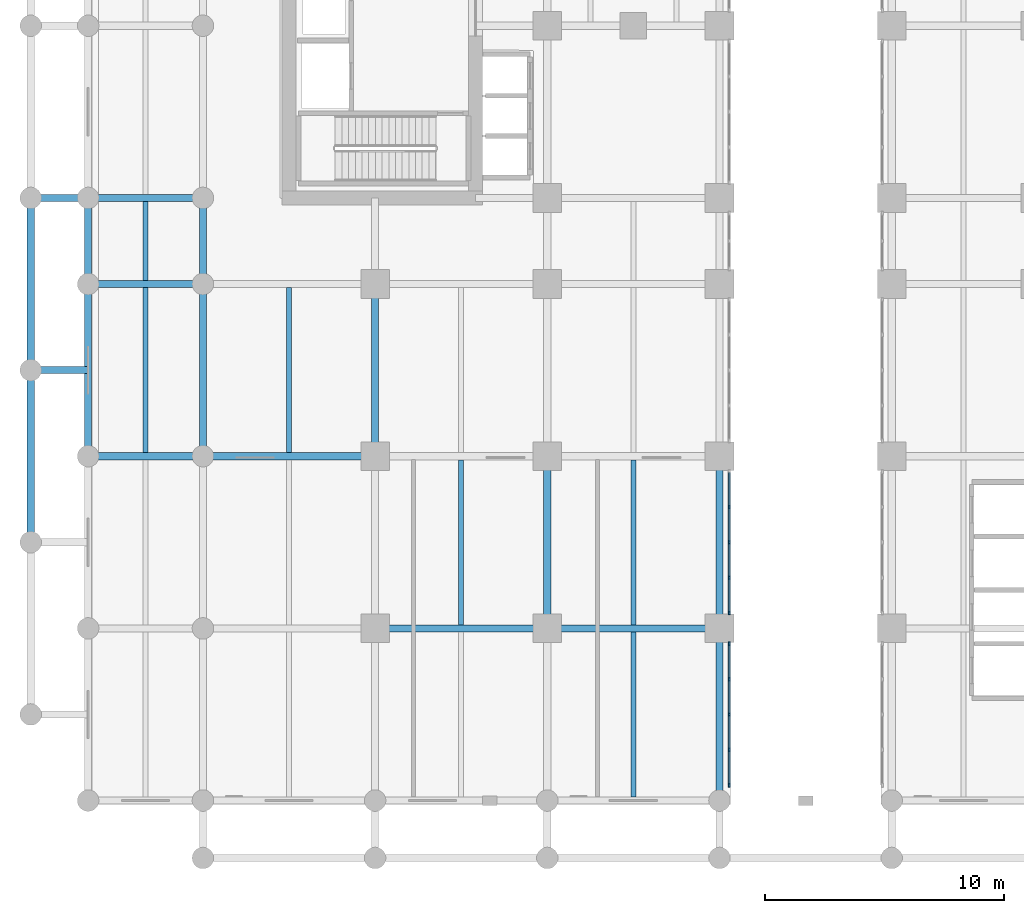
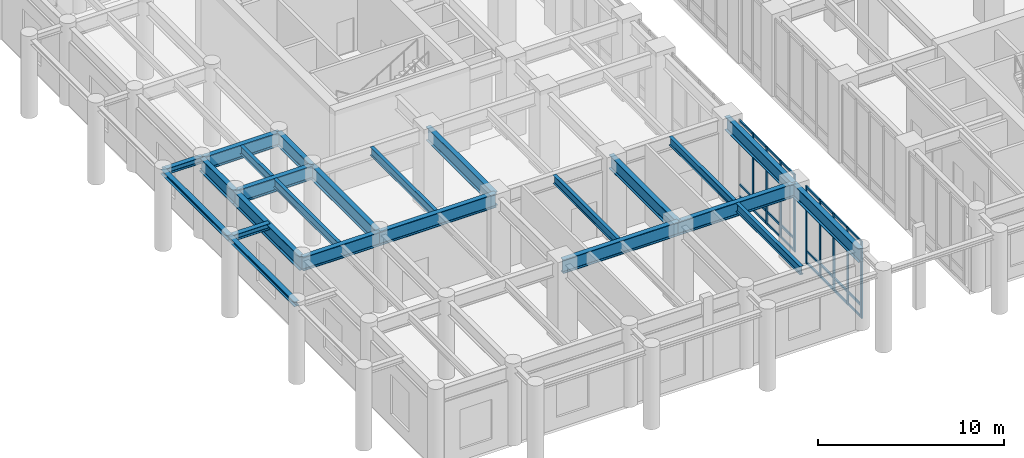
# One storey, part 2 of 24: 33 members, 24 beams, 2 elements without a shape of their own.
"""IFC4 building model written with IfcOpenShell, lengths in metres."""

from ifc_helpers import new_model, si_unit, derived_unit, direction, frame, origin, origin_2d, place, context, subcontext, project, spatial, rectangle, i_section, extrude, source, transform, mapped, material, layer, layer_set, material_profile, profile_set, type_object, type_shapes, element, aggregate, save


model = new_model("IFC4")

# Units and contexts
model_context = context("Model", 3, precision=1e-05, world=origin(), true_north=direction((0.0, 1.0)))
body_context = subcontext(model_context, "Body", "Model", "MODEL_VIEW")
ifc_project = project(units=[si_unit("LENGTHUNIT", "METRE"), si_unit("AREAUNIT", "SQUARE_METRE"), si_unit("VOLUMEUNIT", "CUBIC_METRE"), si_unit("PLANEANGLEUNIT", "RADIAN"), si_unit("MASSUNIT", "GRAM", prefix="KILO"), si_unit("THERMODYNAMICTEMPERATUREUNIT", "KELVIN"), si_unit("POWERUNIT", "WATT"), derived_unit("THERMALTRANSMITTANCEUNIT", [(si_unit("POWERUNIT", "WATT"), 1), (si_unit("AREAUNIT", "SQUARE_METRE"), -1), (si_unit("THERMODYNAMICTEMPERATUREUNIT", "KELVIN"), -1)])], contexts=[model_context])

# Site, building, storey
site_placement = place(None, origin())
site = spatial("IfcSite", under=ifc_project, at=site_placement, CompositionType="ELEMENT")
building_placement = place(site_placement, origin())
building = spatial("IfcBuilding", under=site, at=building_placement, Name="Zahravan Archway Hotel and Residences", CompositionType="ELEMENT")
storey_placement = place(building_placement, frame((0.0, 0.0, 10.800048828125)))
storey = spatial("IfcBuildingStorey", under=building, at=storey_placement, Name="L02", CompositionType="ELEMENT", Elevation=10.800048828125)

# Beams
ifc_material_1 = material(Name="Structural Steel S355J2", Category="steel")
ifc_material_profile_1 = material_profile(ifc_material_1, i_section(OverallWidth=0.300048828125, OverallDepth=0.89990234375, WebThickness=0.0185546875, FlangeThickness=0.034912109375, FilletRadius=0.030029296875, at=origin_2d()), Name="HEB 900", Category="steel")
ifc_profile_set_1 = profile_set([ifc_material_profile_1], Name="Structural Steel S355J2")
beam_type_1 = type_object("IfcBeamType", Name="BM-PRI-HEB900", PredefinedType="BEAM", material=ifc_profile_set_1)
shared_shape_1 = source(origin(), body_context, "Body", "SweptSolid", [
    extrude(i_section(OverallWidth=0.300048828125, OverallDepth=0.89990234375, WebThickness=0.0185546875, FlangeThickness=0.034912109375, FilletRadius=0.030029296875, at=origin_2d()), origin(), (0.0, 0.0, 1.0), 4.800048828125),
])
type_shapes(beam_type_1, [shared_shape_1])
for number, where, z_axis, x_axis, name in (
    (1, (-4.800048828125, 14.39990234375, 4.64990234375), (1.0, 0.0, 0.0), (0.0, 1.0, 0.0), "L02 Primary Girder EW-19"),
    (2, (-4.800048828125, 21.60009765625, 4.64990234375), (1.0, 0.0, 0.0), (0.0, 1.0, 0.0), "L02 Primary Girder EW-27"),
    (3, (-4.800048828125, 25.199951171875, 4.64990234375), (1.0, 0.0, 0.0), (0.0, 1.0, 0.0), "L02 Primary Girder EW-37"),
):
    element("IfcBeam", number, at=place(storey_placement, frame(where, z_axis=z_axis, x_axis=x_axis)), inside=storey, type_object=beam_type_1, Name=name, PredefinedType="BEAM", context=body_context, shape_type="MappedRepresentation", body=[
        mapped(shared_shape_1, transform((0.0, 0.0, 0.0), scale=1.0)),
    ])
shared_shape_2 = source(origin(), body_context, "Body", "SweptSolid", [
    extrude(i_section(OverallWidth=0.300048828125, OverallDepth=0.89990234375, WebThickness=0.0185546875, FlangeThickness=0.034912109375, FilletRadius=0.030029296875, at=origin_2d()), origin(), (0.0, 0.0, 1.0), 7.199951171875),
])
for number, where, z_axis, x_axis, name in (
    (4, (7.199951171875, 7.199951171875, 4.64990234375), (1.0, 0.0, 0.0), (0.0, 1.0, 0.0), "L02 Primary Girder EW-13"),
    (5, (0.0, 14.39990234375, 4.64990234375), (1.0, 0.0, 0.0), (0.0, 1.0, 0.0), "L02 Primary Girder EW-20"),
    (6, (14.39990234375, 7.199951171875, 4.64990234375), (0.0, 1.0, 0.0), (-1.0, 0.0, 0.0), "L02 Primary Girder NS-82"),
    (7, (21.60009765625, 0.0, 4.64990234375), (0.0, 1.0, 0.0), (-1.0, 0.0, 0.0), "L02 Primary Girder NS-88"),
    (8, (21.60009765625, 7.199951171875, 4.64990234375), (0.0, 1.0, 0.0), (-1.0, 0.0, 0.0), "L02 Primary Girder NS-89"),
):
    element("IfcBeam", number, at=place(storey_placement, frame(where, z_axis=z_axis, x_axis=x_axis)), inside=storey, type_object=beam_type_1, Name=name, PredefinedType="BEAM", context=body_context, shape_type="MappedRepresentation", body=[
        mapped(shared_shape_2, transform((0.0, 0.0, 0.0), scale=1.0)),
    ])
shared_shape_3 = source(origin(), body_context, "Body", "SweptSolid", [
    extrude(i_section(OverallWidth=0.300048828125, OverallDepth=0.89990234375, WebThickness=0.0185546875, FlangeThickness=0.034912109375, FilletRadius=0.030029296875, at=origin_2d()), origin(), (0.0, 0.0, 1.0), 7.2001953125),
])
for number, where, z_axis, x_axis, name in (
    (9, (14.39990234375, 7.199951171875, 4.64990234375), (1.0, 0.0, 0.0), (0.0, 1.0, 0.0), "L02 Primary Girder EW-14"),
    (10, (-4.800048828125, 14.39990234375, 4.64990234375), (0.0, 1.0, 0.0), (-1.0, 0.0, 0.0), "L02 Primary Girder NS-64"),
    (11, (0.0, 14.39990234375, 4.64990234375), (0.0, 1.0, 0.0), (-1.0, 0.0, 0.0), "L02 Primary Girder NS-71"),
    (12, (7.199951171875, 14.39990234375, 4.64990234375), (0.0, 1.0, 0.0), (-1.0, 0.0, 0.0), "L02 Primary Girder NS-78"),
):
    element("IfcBeam", number, at=place(storey_placement, frame(where, z_axis=z_axis, x_axis=x_axis)), inside=storey, type_object=beam_type_1, Name=name, PredefinedType="BEAM", context=body_context, shape_type="MappedRepresentation", body=[
        mapped(shared_shape_3, transform((0.0, 0.0, 0.0), scale=1.0)),
    ])
shared_shape_4 = source(origin(), body_context, "Body", "SweptSolid", [
    extrude(i_section(OverallWidth=0.300048828125, OverallDepth=0.89990234375, WebThickness=0.0185546875, FlangeThickness=0.034912109375, FilletRadius=0.030029296875, at=origin_2d()), origin(), (0.0, 0.0, 1.0), 3.599853515625),
])
for number, where, z_axis, x_axis, name in (
    (13, (-4.800048828125, 21.60009765625, 4.64990234375), (0.0, 1.0, 0.0), (-1.0, 0.0, 0.0), "L02 Primary Girder NS-65"),
    (14, (0.0, 21.60009765625, 4.64990234375), (0.0, 1.0, 0.0), (-1.0, 0.0, 0.0), "L02 Primary Girder NS-72"),
):
    element("IfcBeam", number, at=place(storey_placement, frame(where, z_axis=z_axis, x_axis=x_axis)), inside=storey, type_object=beam_type_1, Name=name, PredefinedType="BEAM", context=body_context, shape_type="MappedRepresentation", body=[
        mapped(shared_shape_4, transform((0.0, 0.0, 0.0), scale=1.0)),
    ])
ifc_material_2 = material(Name="Structural Steel S355JR", Category="steel")
ifc_material_profile_2 = material_profile(ifc_material_2, i_section(OverallWidth=0.2099609375, OverallDepth=0.550048828125, WebThickness=0.010986328125, FlangeThickness=0.01708984375, FilletRadius=0.02392578125, at=origin_2d()), Name="IPE 550", Category="steel")
ifc_profile_set_2 = profile_set([ifc_material_profile_2], Name="Structural Steel S355JR")
beam_type_2 = type_object("IfcBeamType", Name="BM-JST-IPE550", PredefinedType="JOIST", material=ifc_profile_set_2)
shared_shape_5 = source(origin(), body_context, "Body", "SweptSolid", [
    extrude(i_section(OverallWidth=0.2099609375, OverallDepth=0.550048828125, WebThickness=0.010986328125, FlangeThickness=0.01708984375, FilletRadius=0.02392578125, at=origin_2d()), origin(), (0.0, 0.0, 1.0), 6.904052734375),
])
type_shapes(beam_type_2, [shared_shape_5])
for number, where, z_axis, x_axis, name in (
    (15, (18.0, 0.14794921875, 4.824951171875), (0.0, 1.0, 0.0), (-1.0, 0.0, 0.0), "L02 Composite Floor Joist 04"),
    (16, (10.800048828125, 7.347900390625, 4.824951171875), (0.0, 1.0, 0.0), (-1.0, 0.0, 0.0), "L02 Composite Floor Joist 11"),
    (17, (18.0, 7.347900390625, 4.824951171875), (0.0, 1.0, 0.0), (-1.0, 0.0, 0.0), "L02 Composite Floor Joist 12"),
):
    element("IfcBeam", number, at=place(storey_placement, frame(where, z_axis=z_axis, x_axis=x_axis)), inside=storey, type_object=beam_type_2, Name=name, PredefinedType="JOIST", context=body_context, shape_type="MappedRepresentation", body=[
        mapped(shared_shape_5, transform((0.0, 0.0, 0.0), scale=1.0)),
    ])
shared_shape_6 = source(origin(), body_context, "Body", "SweptSolid", [
    extrude(i_section(OverallWidth=0.2099609375, OverallDepth=0.550048828125, WebThickness=0.010986328125, FlangeThickness=0.01708984375, FilletRadius=0.02392578125, at=origin_2d()), origin(), (0.0, 0.0, 1.0), 6.90380859375),
])
for number, where, z_axis, x_axis, name in (
    (18, (-2.39990234375, 14.548095703125, 4.824951171875), (0.0, 1.0, 0.0), (-1.0, 0.0, 0.0), "L02 Composite Floor Joist 17"),
    (19, (3.60009765625, 14.548095703125, 4.824951171875), (0.0, 1.0, 0.0), (-1.0, 0.0, 0.0), "L02 Composite Floor Joist 18"),
):
    element("IfcBeam", number, at=place(storey_placement, frame(where, z_axis=z_axis, x_axis=x_axis)), inside=storey, type_object=beam_type_2, Name=name, PredefinedType="JOIST", context=body_context, shape_type="MappedRepresentation", body=[
        mapped(shared_shape_6, transform((0.0, 0.0, 0.0), scale=1.0)),
    ])
shared_shape_7 = source(origin(), body_context, "Body", "SweptSolid", [
    extrude(i_section(OverallWidth=0.2099609375, OverallDepth=0.550048828125, WebThickness=0.010986328125, FlangeThickness=0.01708984375, FilletRadius=0.02392578125, at=origin_2d()), origin(), (0.0, 0.0, 1.0), 3.303955078125),
])
beam_placement = place(storey_placement, frame((-2.39990234375, 21.748046875, 4.824951171875), z_axis=(0.0, 1.0, 0.0), x_axis=(-1.0, 0.0, 0.0)))
element("IfcBeam", 20, at=beam_placement, inside=storey, type_object=beam_type_2, Name="L02 Composite Floor Joist 25", PredefinedType="JOIST", context=body_context, shape_type="MappedRepresentation", body=[
    mapped(shared_shape_7, transform((0.0, 0.0, 0.0), scale=1.0)),
])
ifc_material_profile_3 = material_profile(ifc_material_2, i_section(OverallWidth=0.300048828125, OverallDepth=0.39990234375, WebThickness=0.013427734375, FlangeThickness=0.02392578125, FilletRadius=0.027099609375, at=origin_2d()), Name="HEB 400", Category="steel")
ifc_profile_set_3 = profile_set([ifc_material_profile_3], Name="Structural Steel S355JR")
beam_type_3 = type_object("IfcBeamType", Name="BM-PRI-HEB400", PredefinedType="BEAM", material=ifc_profile_set_3)
shared_shape_8 = source(origin(), body_context, "Body", "SweptSolid", [
    extrude(i_section(OverallWidth=0.300048828125, OverallDepth=0.39990234375, WebThickness=0.013427734375, FlangeThickness=0.02392578125, FilletRadius=0.027099609375, at=origin_2d()), origin(), (0.0, 0.0, 1.0), 2.39990234375),
])
for number, where, z_axis, x_axis, name in (
    (21, (-7.199951171875, 18.0, 4.9599609375), (1.0, 0.0, 0.0), (0.0, 1.0, 0.0), "L02 West Colonnade Tie Girder 3"),
    (22, (-7.199951171875, 25.199951171875, 4.9599609375), (1.0, 0.0, 0.0), (0.0, 1.0, 0.0), "L02 West Colonnade Tie Girder 4"),
):
    element("IfcBeam", number, at=place(storey_placement, frame(where, z_axis=z_axis, x_axis=x_axis)), inside=storey, type_object=beam_type_3, Name=name, PredefinedType="BEAM", context=body_context, shape_type="MappedRepresentation", body=[
        mapped(shared_shape_8, transform((0.0, 0.0, 0.0), scale=1.0)),
    ])
ifc_material_profile_4 = material_profile(ifc_material_2, i_section(OverallWidth=0.300048828125, OverallDepth=0.320068359375, WebThickness=0.011474609375, FlangeThickness=0.0205078125, FilletRadius=0.027099609375, at=origin_2d()), Name="HEB 320", Category="steel")
ifc_profile_set_4 = profile_set([ifc_material_profile_4], Name="Structural Steel S355JR")
beam_type_4 = type_object("IfcBeamType", Name="BM-SPN-HEB320", PredefinedType="SPANDREL", material=ifc_profile_set_4)
shared_shape_9 = source(origin(), body_context, "Body", "SweptSolid", [
    extrude(i_section(OverallWidth=0.300048828125, OverallDepth=0.320068359375, WebThickness=0.011474609375, FlangeThickness=0.0205078125, FilletRadius=0.027099609375, at=origin_2d()), origin(), (0.0, 0.0, 1.0), 7.199951171875),
])
type_shapes(beam_type_4, [shared_shape_9])
for number, where, z_axis, x_axis, name in (
    (23, (-7.199951171875, 10.800048828125, 5.0), (0.0, 1.0, 0.0), (-1.0, 0.0, 0.0), "L02 West Colonnade Spandrel 2"),
    (24, (-7.199951171875, 18.0, 5.0), (0.0, 1.0, 0.0), (-1.0, 0.0, 0.0), "L02 West Colonnade Spandrel 3"),
):
    element("IfcBeam", number, at=place(storey_placement, frame(where, z_axis=z_axis, x_axis=x_axis)), inside=storey, type_object=beam_type_4, Name=name, PredefinedType="SPANDREL", context=body_context, shape_type="MappedRepresentation", body=[
        mapped(shared_shape_9, transform((0.0, 0.0, 0.0), scale=1.0)),
    ])

# Curtain wall, members
ifc_material_3 = material(Name="Bronze-Anodized Unitised Aluminium & Low-E Glass", Category="aluminium")
ifc_layer = layer(ifc_material_3, 0.179931640625, Name="Bronze-Anodized Unitised Aluminium & Low-E Glass", Category="aluminium")
ifc_layer_set = layer_set([ifc_layer], Name="Bronze-Anodized Unitised Aluminium & Low-E Glass")
curtain_wall_type = type_object("IfcCurtainWallType", Name="CW-POD-ARCH", PredefinedType="NOTDEFINED", material=ifc_layer_set)
curtain_wall_1_placement = place(storey_placement, origin())
curtain_wall_1 = element("IfcCurtainWall", 25, at=curtain_wall_1_placement, inside=storey, type_object=curtain_wall_type, Name="L02 Curtain Wall CW-PORTW-L02-1", PredefinedType="NOTDEFINED")
ifc_material_4 = material(Name="Bronze-Anodized Extruded Aluminium", Category="aluminium")
ifc_material_profile_5 = material_profile(ifc_material_4, rectangle(XDim=0.080078125, YDim=0.139892578125, at=origin_2d()), Name="TRN 80x140", Category="aluminium")
ifc_profile_set_5 = profile_set([ifc_material_profile_5], Name="Bronze-Anodized Extruded Aluminium")
member_type_1 = type_object("IfcMemberType", Name="CWM-TRN-140", PredefinedType="USERDEFINED", material=ifc_profile_set_5)
shared_shape_10 = source(origin(), body_context, "Body", "SweptSolid", [
    extrude(rectangle(XDim=0.080078125, YDim=0.139892578125, at=origin_2d()), origin(), (0.0, 0.0, 1.0), 1.397216796875),
])
member_1_placement = place(storey_placement, frame((22.0, 0.685302734375, 0.070068359375), z_axis=(0.0, 1.0, 0.0), x_axis=(-1.0, 0.0, 0.0)))
member_1 = element("IfcMember", 26, at=member_1_placement, type_object=member_type_1, Name="CW-PORTW-L02-1 Transom 0-1", ObjectType="TRANSOM", PredefinedType="USERDEFINED", context=body_context, shape_type="MappedRepresentation", body=[
    mapped(shared_shape_10, transform((0.0, 0.0, 0.0), scale=1.0)),
])
member_2_placement = place(storey_placement, frame((22.0, 0.685302734375, 0.849853515625), z_axis=(0.0, 1.0, 0.0), x_axis=(-1.0, 0.0, 0.0)))
member_2 = element("IfcMember", 27, at=member_2_placement, type_object=member_type_1, Name="CW-PORTW-L02-1 Transom 0-2", ObjectType="TRANSOM", PredefinedType="USERDEFINED", context=body_context, shape_type="MappedRepresentation", body=[
    mapped(shared_shape_10, transform((0.0, 0.0, 0.0), scale=1.0)),
])
member_3_placement = place(storey_placement, frame((22.0, 0.685302734375, 5.030029296875), z_axis=(0.0, 1.0, 0.0), x_axis=(-1.0, 0.0, 0.0)))
member_3 = element("IfcMember", 28, at=member_3_placement, type_object=member_type_1, Name="CW-PORTW-L02-1 Transom 0-3", ObjectType="TRANSOM", PredefinedType="USERDEFINED", context=body_context, shape_type="MappedRepresentation", body=[
    mapped(shared_shape_10, transform((0.0, 0.0, 0.0), scale=1.0)),
])

curtain_wall_2_placement = place(storey_placement, origin())
curtain_wall_2 = element("IfcCurtainWall", 29, at=curtain_wall_2_placement, inside=storey, type_object=curtain_wall_type, Name="L02 Curtain Wall CW-PORTW-L02-2", PredefinedType="NOTDEFINED")
member_4_placement = place(storey_placement, frame((22.0, 10.840087890625, 0.070068359375), z_axis=(0.0, 1.0, 0.0), x_axis=(-1.0, 0.0, 0.0)))
member_4 = element("IfcMember", 30, at=member_4_placement, type_object=member_type_1, Name="CW-PORTW-L02-2 Transom 2-1", ObjectType="TRANSOM", PredefinedType="USERDEFINED", context=body_context, shape_type="MappedRepresentation", body=[
    mapped(shared_shape_10, transform((0.0, 0.0, 0.0), scale=1.0)),
])
member_5_placement = place(storey_placement, frame((22.0, 10.840087890625, 0.849853515625), z_axis=(0.0, 1.0, 0.0), x_axis=(-1.0, 0.0, 0.0)))
member_5 = element("IfcMember", 31, at=member_5_placement, type_object=member_type_1, Name="CW-PORTW-L02-2 Transom 2-2", ObjectType="TRANSOM", PredefinedType="USERDEFINED", context=body_context, shape_type="MappedRepresentation", body=[
    mapped(shared_shape_10, transform((0.0, 0.0, 0.0), scale=1.0)),
])
member_6_placement = place(storey_placement, frame((22.0, 10.840087890625, 5.030029296875), z_axis=(0.0, 1.0, 0.0), x_axis=(-1.0, 0.0, 0.0)))
member_6 = element("IfcMember", 32, at=member_6_placement, type_object=member_type_1, Name="CW-PORTW-L02-2 Transom 2-3", ObjectType="TRANSOM", PredefinedType="USERDEFINED", context=body_context, shape_type="MappedRepresentation", body=[
    mapped(shared_shape_10, transform((0.0, 0.0, 0.0), scale=1.0)),
])

# Member
shared_shape_11 = source(origin(), body_context, "Body", "SweptSolid", [
    extrude(rectangle(XDim=0.080078125, YDim=0.139892578125, at=origin_2d()), origin(), (0.0, 0.0, 1.0), 1.3974609375),
])
member_7_placement = place(storey_placement, frame((22.0, 2.16259765625, 0.070068359375), z_axis=(0.0, 1.0, 0.0), x_axis=(-1.0, 0.0, 0.0)))
member_7 = element("IfcMember", 33, at=member_7_placement, type_object=member_type_1, Name="CW-PORTW-L02-1 Transom 1-1", ObjectType="TRANSOM", PredefinedType="USERDEFINED", context=body_context, shape_type="MappedRepresentation", body=[
    mapped(shared_shape_11, transform((0.0, 0.0, 0.0), scale=1.0)),
])

member_8_placement = place(storey_placement, frame((22.0, 2.16259765625, 0.849853515625), z_axis=(0.0, 1.0, 0.0), x_axis=(-1.0, 0.0, 0.0)))
member_8 = element("IfcMember", 34, at=member_8_placement, type_object=member_type_1, Name="CW-PORTW-L02-1 Transom 1-2", ObjectType="TRANSOM", PredefinedType="USERDEFINED", context=body_context, shape_type="MappedRepresentation", body=[
    mapped(shared_shape_11, transform((0.0, 0.0, 0.0), scale=1.0)),
])

member_9_placement = place(storey_placement, frame((22.0, 2.16259765625, 5.030029296875), z_axis=(0.0, 1.0, 0.0), x_axis=(-1.0, 0.0, 0.0)))
member_9 = element("IfcMember", 35, at=member_9_placement, type_object=member_type_1, Name="CW-PORTW-L02-1 Transom 1-3", ObjectType="TRANSOM", PredefinedType="USERDEFINED", context=body_context, shape_type="MappedRepresentation", body=[
    mapped(shared_shape_11, transform((0.0, 0.0, 0.0), scale=1.0)),
])

member_10_placement = place(storey_placement, frame((22.0, 3.639892578125, 0.070068359375), z_axis=(0.0, 1.0, 0.0), x_axis=(-1.0, 0.0, 0.0)))
member_10 = element("IfcMember", 36, at=member_10_placement, type_object=member_type_1, Name="CW-PORTW-L02-1 Transom 2-1", ObjectType="TRANSOM", PredefinedType="USERDEFINED", context=body_context, shape_type="MappedRepresentation", body=[
    mapped(shared_shape_11, transform((0.0, 0.0, 0.0), scale=1.0)),
])

member_11_placement = place(storey_placement, frame((22.0, 3.639892578125, 0.849853515625), z_axis=(0.0, 1.0, 0.0), x_axis=(-1.0, 0.0, 0.0)))
member_11 = element("IfcMember", 37, at=member_11_placement, type_object=member_type_1, Name="CW-PORTW-L02-1 Transom 2-2", ObjectType="TRANSOM", PredefinedType="USERDEFINED", context=body_context, shape_type="MappedRepresentation", body=[
    mapped(shared_shape_11, transform((0.0, 0.0, 0.0), scale=1.0)),
])

member_12_placement = place(storey_placement, frame((22.0, 3.639892578125, 5.030029296875), z_axis=(0.0, 1.0, 0.0), x_axis=(-1.0, 0.0, 0.0)))
member_12 = element("IfcMember", 38, at=member_12_placement, type_object=member_type_1, Name="CW-PORTW-L02-1 Transom 2-3", ObjectType="TRANSOM", PredefinedType="USERDEFINED", context=body_context, shape_type="MappedRepresentation", body=[
    mapped(shared_shape_11, transform((0.0, 0.0, 0.0), scale=1.0)),
])

member_13_placement = place(storey_placement, frame((22.0, 5.117431640625, 0.070068359375), z_axis=(0.0, 1.0, 0.0), x_axis=(-1.0, 0.0, 0.0)))
member_13 = element("IfcMember", 39, at=member_13_placement, type_object=member_type_1, Name="CW-PORTW-L02-1 Transom 3-1", ObjectType="TRANSOM", PredefinedType="USERDEFINED", context=body_context, shape_type="MappedRepresentation", body=[
    mapped(shared_shape_11, transform((0.0, 0.0, 0.0), scale=1.0)),
])

member_14_placement = place(storey_placement, frame((22.0, 5.117431640625, 0.849853515625), z_axis=(0.0, 1.0, 0.0), x_axis=(-1.0, 0.0, 0.0)))
member_14 = element("IfcMember", 40, at=member_14_placement, type_object=member_type_1, Name="CW-PORTW-L02-1 Transom 3-2", ObjectType="TRANSOM", PredefinedType="USERDEFINED", context=body_context, shape_type="MappedRepresentation", body=[
    mapped(shared_shape_11, transform((0.0, 0.0, 0.0), scale=1.0)),
])

member_15_placement = place(storey_placement, frame((22.0, 5.117431640625, 5.030029296875), z_axis=(0.0, 1.0, 0.0), x_axis=(-1.0, 0.0, 0.0)))
member_15 = element("IfcMember", 41, at=member_15_placement, type_object=member_type_1, Name="CW-PORTW-L02-1 Transom 3-3", ObjectType="TRANSOM", PredefinedType="USERDEFINED", context=body_context, shape_type="MappedRepresentation", body=[
    mapped(shared_shape_11, transform((0.0, 0.0, 0.0), scale=1.0)),
])

member_16_placement = place(storey_placement, frame((22.0, 7.88525390625, 0.070068359375), z_axis=(0.0, 1.0, 0.0), x_axis=(-1.0, 0.0, 0.0)))
member_16 = element("IfcMember", 42, at=member_16_placement, type_object=member_type_1, Name="CW-PORTW-L02-2 Transom 0-1", ObjectType="TRANSOM", PredefinedType="USERDEFINED", context=body_context, shape_type="MappedRepresentation", body=[
    mapped(shared_shape_11, transform((0.0, 0.0, 0.0), scale=1.0)),
])

member_17_placement = place(storey_placement, frame((22.0, 7.88525390625, 0.849853515625), z_axis=(0.0, 1.0, 0.0), x_axis=(-1.0, 0.0, 0.0)))
member_17 = element("IfcMember", 43, at=member_17_placement, type_object=member_type_1, Name="CW-PORTW-L02-2 Transom 0-2", ObjectType="TRANSOM", PredefinedType="USERDEFINED", context=body_context, shape_type="MappedRepresentation", body=[
    mapped(shared_shape_11, transform((0.0, 0.0, 0.0), scale=1.0)),
])

member_18_placement = place(storey_placement, frame((22.0, 7.88525390625, 5.030029296875), z_axis=(0.0, 1.0, 0.0), x_axis=(-1.0, 0.0, 0.0)))
member_18 = element("IfcMember", 44, at=member_18_placement, type_object=member_type_1, Name="CW-PORTW-L02-2 Transom 0-3", ObjectType="TRANSOM", PredefinedType="USERDEFINED", context=body_context, shape_type="MappedRepresentation", body=[
    mapped(shared_shape_11, transform((0.0, 0.0, 0.0), scale=1.0)),
])

member_19_placement = place(storey_placement, frame((22.0, 9.362548828125, 0.070068359375), z_axis=(0.0, 1.0, 0.0), x_axis=(-1.0, 0.0, 0.0)))
member_19 = element("IfcMember", 45, at=member_19_placement, type_object=member_type_1, Name="CW-PORTW-L02-2 Transom 1-1", ObjectType="TRANSOM", PredefinedType="USERDEFINED", context=body_context, shape_type="MappedRepresentation", body=[
    mapped(shared_shape_11, transform((0.0, 0.0, 0.0), scale=1.0)),
])

member_20_placement = place(storey_placement, frame((22.0, 9.362548828125, 0.849853515625), z_axis=(0.0, 1.0, 0.0), x_axis=(-1.0, 0.0, 0.0)))
member_20 = element("IfcMember", 46, at=member_20_placement, type_object=member_type_1, Name="CW-PORTW-L02-2 Transom 1-2", ObjectType="TRANSOM", PredefinedType="USERDEFINED", context=body_context, shape_type="MappedRepresentation", body=[
    mapped(shared_shape_11, transform((0.0, 0.0, 0.0), scale=1.0)),
])

member_21_placement = place(storey_placement, frame((22.0, 9.362548828125, 5.030029296875), z_axis=(0.0, 1.0, 0.0), x_axis=(-1.0, 0.0, 0.0)))
member_21 = element("IfcMember", 47, at=member_21_placement, type_object=member_type_1, Name="CW-PORTW-L02-2 Transom 1-3", ObjectType="TRANSOM", PredefinedType="USERDEFINED", context=body_context, shape_type="MappedRepresentation", body=[
    mapped(shared_shape_11, transform((0.0, 0.0, 0.0), scale=1.0)),
])

member_22_placement = place(storey_placement, frame((22.0, 12.3173828125, 0.070068359375), z_axis=(0.0, 1.0, 0.0), x_axis=(-1.0, 0.0, 0.0)))
member_22 = element("IfcMember", 48, at=member_22_placement, type_object=member_type_1, Name="CW-PORTW-L02-2 Transom 3-1", ObjectType="TRANSOM", PredefinedType="USERDEFINED", context=body_context, shape_type="MappedRepresentation", body=[
    mapped(shared_shape_11, transform((0.0, 0.0, 0.0), scale=1.0)),
])

member_23_placement = place(storey_placement, frame((22.0, 12.3173828125, 0.849853515625), z_axis=(0.0, 1.0, 0.0), x_axis=(-1.0, 0.0, 0.0)))
member_23 = element("IfcMember", 49, at=member_23_placement, type_object=member_type_1, Name="CW-PORTW-L02-2 Transom 3-2", ObjectType="TRANSOM", PredefinedType="USERDEFINED", context=body_context, shape_type="MappedRepresentation", body=[
    mapped(shared_shape_11, transform((0.0, 0.0, 0.0), scale=1.0)),
])

member_24_placement = place(storey_placement, frame((22.0, 12.3173828125, 5.030029296875), z_axis=(0.0, 1.0, 0.0), x_axis=(-1.0, 0.0, 0.0)))
member_24 = element("IfcMember", 50, at=member_24_placement, type_object=member_type_1, Name="CW-PORTW-L02-2 Transom 3-3", ObjectType="TRANSOM", PredefinedType="USERDEFINED", context=body_context, shape_type="MappedRepresentation", body=[
    mapped(shared_shape_11, transform((0.0, 0.0, 0.0), scale=1.0)),
])

ifc_material_profile_6 = material_profile(ifc_material_4, rectangle(XDim=0.080078125, YDim=0.159912109375, at=origin_2d()), Name="MUL 80x160", Category="aluminium")
ifc_profile_set_6 = profile_set([ifc_material_profile_6], Name="Bronze-Anodized Extruded Aluminium")
member_type_2 = type_object("IfcMemberType", Name="CWM-MUL-160", PredefinedType="MULLION", material=ifc_profile_set_6)
shared_shape_12 = source(origin(), body_context, "Body", "SweptSolid", [
    extrude(rectangle(XDim=0.080078125, YDim=0.159912109375, at=origin_2d()), origin(), (0.0, 0.0, 1.0), 5.099853515625),
])
member_25_placement = place(storey_placement, frame((22.0, 0.645263671875, 0.0), z_axis=(0.0, 0.0, 1.0), x_axis=(1.0, 0.0, 0.0)))
member_25 = element("IfcMember", 51, at=member_25_placement, type_object=member_type_2, Name="CW-PORTW-L02-1 Mullion 0", PredefinedType="MULLION", context=body_context, shape_type="MappedRepresentation", body=[
    mapped(shared_shape_12, transform((0.0, 0.0, 0.0), scale=1.0)),
])

member_26_placement = place(storey_placement, frame((22.0, 2.12255859375, 0.0), z_axis=(0.0, 0.0, 1.0), x_axis=(1.0, 0.0, 0.0)))
member_26 = element("IfcMember", 52, at=member_26_placement, type_object=member_type_2, Name="CW-PORTW-L02-1 Mullion 1", PredefinedType="MULLION", context=body_context, shape_type="MappedRepresentation", body=[
    mapped(shared_shape_12, transform((0.0, 0.0, 0.0), scale=1.0)),
])

member_27_placement = place(storey_placement, frame((22.0, 3.60009765625, 0.0), z_axis=(0.0, 0.0, 1.0), x_axis=(1.0, 0.0, 0.0)))
member_27 = element("IfcMember", 53, at=member_27_placement, type_object=member_type_2, Name="CW-PORTW-L02-1 Mullion 2", PredefinedType="MULLION", context=body_context, shape_type="MappedRepresentation", body=[
    mapped(shared_shape_12, transform((0.0, 0.0, 0.0), scale=1.0)),
])

member_28_placement = place(storey_placement, frame((22.0, 5.077392578125, 0.0), z_axis=(0.0, 0.0, 1.0), x_axis=(1.0, 0.0, 0.0)))
member_28 = element("IfcMember", 54, at=member_28_placement, type_object=member_type_2, Name="CW-PORTW-L02-1 Mullion 3", PredefinedType="MULLION", context=body_context, shape_type="MappedRepresentation", body=[
    mapped(shared_shape_12, transform((0.0, 0.0, 0.0), scale=1.0)),
])

member_29_placement = place(storey_placement, frame((22.0, 6.5546875, 0.0), z_axis=(0.0, 0.0, 1.0), x_axis=(1.0, 0.0, 0.0)))
member_29 = element("IfcMember", 55, at=member_29_placement, type_object=member_type_2, Name="CW-PORTW-L02-1 Mullion 4", PredefinedType="MULLION", context=body_context, shape_type="MappedRepresentation", body=[
    mapped(shared_shape_12, transform((0.0, 0.0, 0.0), scale=1.0)),
])

aggregate(curtain_wall_1, [member_25, member_26, member_27, member_28, member_29, member_1, member_2, member_3, member_7, member_8, member_9, member_10, member_11, member_12, member_13, member_14, member_15])

member_30_placement = place(storey_placement, frame((22.0, 7.84521484375, 0.0), z_axis=(0.0, 0.0, 1.0), x_axis=(1.0, 0.0, 0.0)))
member_30 = element("IfcMember", 56, at=member_30_placement, type_object=member_type_2, Name="CW-PORTW-L02-2 Mullion 0", PredefinedType="MULLION", context=body_context, shape_type="MappedRepresentation", body=[
    mapped(shared_shape_12, transform((0.0, 0.0, 0.0), scale=1.0)),
])

member_31_placement = place(storey_placement, frame((22.0, 9.322509765625, 0.0), z_axis=(0.0, 0.0, 1.0), x_axis=(1.0, 0.0, 0.0)))
member_31 = element("IfcMember", 57, at=member_31_placement, type_object=member_type_2, Name="CW-PORTW-L02-2 Mullion 1", PredefinedType="MULLION", context=body_context, shape_type="MappedRepresentation", body=[
    mapped(shared_shape_12, transform((0.0, 0.0, 0.0), scale=1.0)),
])

member_32_placement = place(storey_placement, frame((22.0, 10.800048828125, 0.0), z_axis=(0.0, 0.0, 1.0), x_axis=(1.0, 0.0, 0.0)))
member_32 = element("IfcMember", 58, at=member_32_placement, type_object=member_type_2, Name="CW-PORTW-L02-2 Mullion 2", PredefinedType="MULLION", context=body_context, shape_type="MappedRepresentation", body=[
    mapped(shared_shape_12, transform((0.0, 0.0, 0.0), scale=1.0)),
])

member_33_placement = place(storey_placement, frame((22.0, 12.27734375, 0.0), z_axis=(0.0, 0.0, 1.0), x_axis=(1.0, 0.0, 0.0)))
member_33 = element("IfcMember", 59, at=member_33_placement, type_object=member_type_2, Name="CW-PORTW-L02-2 Mullion 3", PredefinedType="MULLION", context=body_context, shape_type="MappedRepresentation", body=[
    mapped(shared_shape_12, transform((0.0, 0.0, 0.0), scale=1.0)),
])

aggregate(curtain_wall_2, [member_30, member_31, member_32, member_33, member_16, member_17, member_18, member_19, member_20, member_21, member_4, member_5, member_6, member_22, member_23, member_24])

save(model, "model.ifc")
